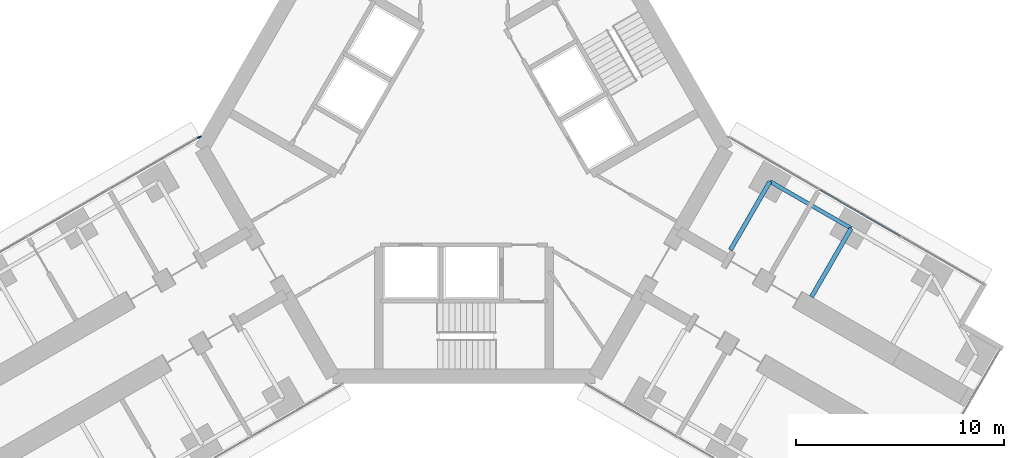
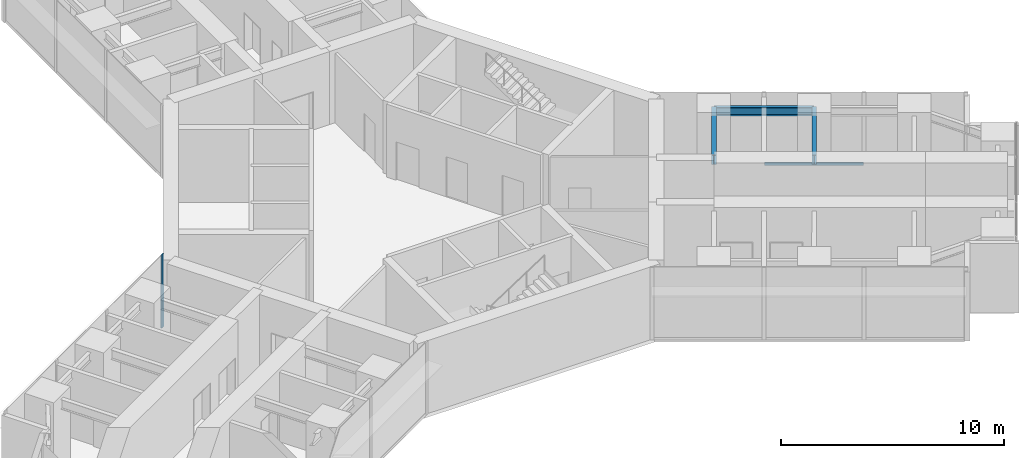
# One storey, part 10 of 22: 3 beams, 2 members, 2 elements without a shape of their own.
"""IFC4 building model written with IfcOpenShell, lengths in metres."""

from ifc_helpers import new_model, si_unit, direction, frame, origin, origin_2d, place, context, subcontext, project, spatial, rectangle, i_section, extrude, material, material_profile, profile_set, type_object, element, aggregate, save


model = new_model("IFC4")

# Units and contexts
model_context = context("Model", 3, precision=1e-05, world=origin(), true_north=direction((0.0, 1.0)))
body_context = subcontext(model_context, "Body", "Model", "MODEL_VIEW")
ifc_project = project(units=[si_unit("LENGTHUNIT", "METRE"), si_unit("AREAUNIT", "SQUARE_METRE"), si_unit("VOLUMEUNIT", "CUBIC_METRE"), si_unit("PLANEANGLEUNIT", "RADIAN"), si_unit("MASSUNIT", "GRAM", prefix="KILO")], contexts=[model_context])

# Site, building, storey
site_placement = place(None, origin())
site = spatial("IfcSite", under=ifc_project, at=site_placement, CompositionType="ELEMENT")
building_placement = place(site_placement, origin())
building = spatial("IfcBuilding", under=site, at=building_placement, Name="Upepo Twin Towers", CompositionType="ELEMENT")
storey_placement = place(building_placement, frame((0.0, 0.0, 36.5)))
storey = spatial("IfcBuildingStorey", under=building, at=storey_placement, Name="L08", CompositionType="ELEMENT", Elevation=36.5)

# Beams
ifc_material_1 = material(Name="Steel S355", Category="steel")
ifc_material_profile_1 = material_profile(ifc_material_1, i_section(OverallWidth=0.1904296875, OverallDepth=0.45703125, WebThickness=0.009033203125, FlangeThickness=0.014404296875, FilletRadius=0.01025390625, at=origin_2d()), Name="UB 457x191x74")
ifc_profile_set_1 = profile_set([ifc_material_profile_1], Name="Steel S355")
beam_type_1 = type_object("IfcBeamType", Name="Beam UB 457x191x74", PredefinedType="BEAM", material=ifc_profile_set_1)
beam_1_placement = place(storey_placement, frame((73.19140625, -19.553955078125, 3.571533203125), z_axis=(0.866017533419, -0.500013631625, 0.0), x_axis=(0.500013631625, 0.866017533419, 0.0)))
element("IfcBeam", 1, at=beam_1_placement, inside=storey, type_object=beam_type_1, Name="T2 edge beam CL 13.5-18.0", PredefinedType="BEAM", context=body_context, shape_type="SweptSolid", body=[
    extrude(i_section(OverallWidth=0.1904296875, OverallDepth=0.45703125, WebThickness=0.009033203125, FlangeThickness=0.014404296875, FilletRadius=0.01025390625, at=origin_2d()), origin(), (0.0, 0.0, 1.0), 4.499755859375),
])
ifc_material_2 = material(Name="Steel S355", Category="steel")
ifc_material_profile_2 = material_profile(ifc_material_2, i_section(OverallWidth=0.209228515625, OverallDepth=0.533203125, WebThickness=0.010009765625, FlangeThickness=0.015625, FilletRadius=0.0126953125, at=origin_2d()), Name="UB 533x210x92")
ifc_profile_set_2 = profile_set([ifc_material_profile_2], Name="Steel S355")
beam_type_2 = type_object("IfcBeamType", Name="Beam UB 533x210x92", PredefinedType="BEAM", material=ifc_profile_set_2)
beam_2_placement = place(storey_placement, frame((73.19140625, -19.553955078125, 3.533447265625), z_axis=(-0.500043160704, -0.866000483506, 0.0), x_axis=(0.866000483506, -0.500043160704, 0.0)))
element("IfcBeam", 2, at=beam_2_placement, inside=storey, type_object=beam_type_2, Name="T2 girder CL at 13.5", PredefinedType="BEAM", context=body_context, shape_type="SweptSolid", body=[
    extrude(i_section(OverallWidth=0.209228515625, OverallDepth=0.533203125, WebThickness=0.010009765625, FlangeThickness=0.015625, FilletRadius=0.0126953125, at=origin_2d()), origin(), (0.0, 0.0, 1.0), 3.800048828125),
])
beam_3_placement = place(storey_placement, frame((77.08837890625, -21.803955078125, 3.533447265625), z_axis=(-0.499994975061, -0.866028304915, 0.0), x_axis=(0.866028304915, -0.499994975061, 0.0)))
element("IfcBeam", 3, at=beam_3_placement, inside=storey, type_object=beam_type_2, Name="T2 girder CL at 18.0", PredefinedType="BEAM", context=body_context, shape_type="SweptSolid", body=[
    extrude(i_section(OverallWidth=0.209228515625, OverallDepth=0.533203125, WebThickness=0.010009765625, FlangeThickness=0.015625, FilletRadius=0.0126953125, at=origin_2d()), origin(), (0.0, 0.0, 1.0), 3.7998046875),
])

# Curtain wall, member
ifc_material_3 = material(Name="Aluminium and fritted glass", Category="aluminium")
curtain_wall_type = type_object("IfcCurtainWallType", Name="Tower curtain wall TW1, fritted glass", PredefinedType="NOTDEFINED", material=ifc_material_3)
curtain_wall_1_placement = place(storey_placement, origin())
curtain_wall_1 = element("IfcCurtainWall", 4, at=curtain_wall_1_placement, inside=storey, type_object=curtain_wall_type, Name="T2 L08 wing B flank R curtain wall", PredefinedType="NOTDEFINED")
ifc_material_4 = material(Name="Aluminium mullion", Category="aluminium")
ifc_material_profile_3 = material_profile(ifc_material_4, rectangle(XDim=0.06494140625, YDim=0.179931640625, at=origin_2d()), Name="MULLION 65x180")
ifc_profile_set_3 = profile_set([ifc_material_profile_3], Name="Aluminium mullion")
member_type_1 = type_object("IfcMemberType", Name="Mullion 65x180 TW1", PredefinedType="MULLION", material=ifc_profile_set_3)
member_1_placement = place(storey_placement, frame((45.79150390625, -17.427490234375, 0.0), z_axis=(0.0, 0.0, 1.0), x_axis=(-0.500000024426, 0.866025389682, 0.0)))
member_1 = element("IfcMember", 5, at=member_1_placement, type_object=member_type_1, Name="T2 L08 wing B flank R curtain wall mullion 4", PredefinedType="MULLION", context=body_context, shape_type="SweptSolid", body=[
    extrude(rectangle(XDim=0.06494140625, YDim=0.179931640625, at=origin_2d()), origin(), (0.0, 0.0, 1.0), 4.0),
])
aggregate(curtain_wall_1, [member_1])

curtain_wall_2_placement = place(storey_placement, origin())
curtain_wall_2 = element("IfcCurtainWall", 6, at=curtain_wall_2_placement, inside=storey, type_object=curtain_wall_type, Name="T2 L08 wing C flank L curtain wall", PredefinedType="NOTDEFINED")
ifc_material_5 = material(Name="Aluminium transom", Category="aluminium")
ifc_material_profile_4 = material_profile(ifc_material_5, rectangle(XDim=0.06494140625, YDim=0.14990234375, at=origin_2d()), Name="TRANSOM 65x150")
ifc_profile_set_4 = profile_set([ifc_material_profile_4], Name="Aluminium transom")
member_type_2 = type_object("IfcMemberType", Name="Transom 65x150 TW1", PredefinedType="USERDEFINED", material=ifc_profile_set_4)
member_2_placement = place(storey_placement, frame((75.593017578125, -19.958984375, 0.074951171875), z_axis=(0.866022410713, -0.500005184116, 0.0), x_axis=(0.500005184116, 0.866022410713, 0.0)))
member_2 = element("IfcMember", 7, at=member_2_placement, type_object=member_type_2, Name="T2 L08 wing C flank L curtain wall transom 2", ObjectType="TRANSOM", PredefinedType="USERDEFINED", context=body_context, shape_type="SweptSolid", body=[
    extrude(rectangle(XDim=0.06494140625, YDim=0.14990234375, at=origin_2d()), origin(), (0.0, 0.0, 1.0), 4.43505859375),
])
aggregate(curtain_wall_2, [member_2])

save(model, "model.ifc")
